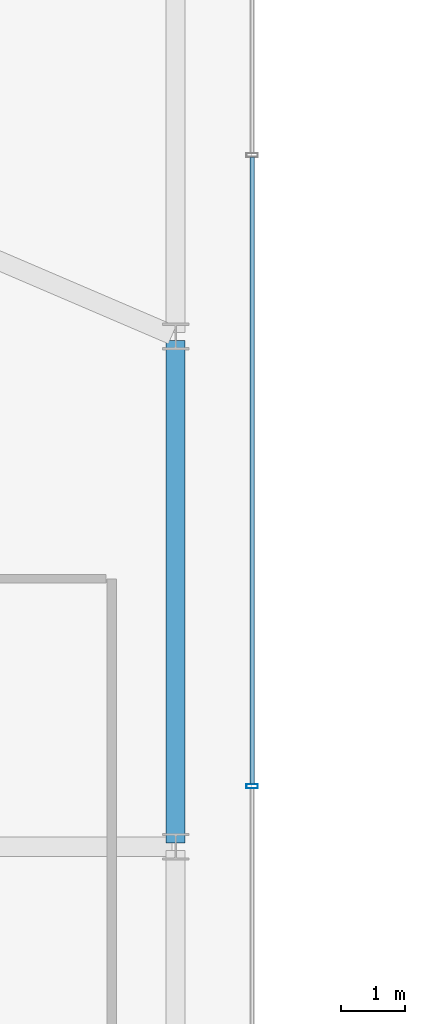
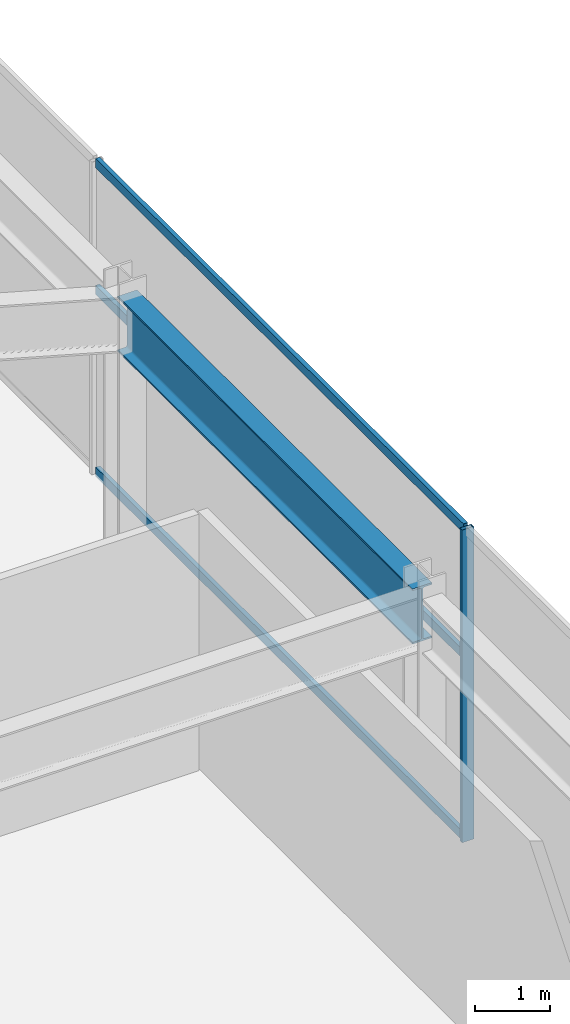
# One storey, part 28 of 52: 4 members, 1 beam, 1 element without a shape of its own.
"""IFC4 building model written with IfcOpenShell, lengths in metres."""

from ifc_helpers import new_model, si_unit, direction, frame, origin, origin_2d, place, context, subcontext, project, spatial, hollow_rectangle, i_section, extrude, material, material_profile, profile_set, type_object, element, aggregate, save


model = new_model("IFC4")

# Units and contexts
model_context = context("Model", 3, precision=1e-05, world=origin(), true_north=direction((0.0, 1.0)))
body_context = subcontext(model_context, "Body", "Model", "MODEL_VIEW")
ifc_project = project(units=[si_unit("LENGTHUNIT", "METRE"), si_unit("AREAUNIT", "SQUARE_METRE"), si_unit("VOLUMEUNIT", "CUBIC_METRE"), si_unit("PLANEANGLEUNIT", "RADIAN"), si_unit("MASSUNIT", "GRAM", prefix="KILO")], contexts=[model_context])

# Site, building, storey
site_placement = place(None, origin())
site = spatial("IfcSite", under=ifc_project, at=site_placement, CompositionType="ELEMENT")
building_placement = place(site_placement, origin())
building = spatial("IfcBuilding", under=site, at=building_placement, Name="Saevonmaru Cultural Tower", CompositionType="ELEMENT")
storey_placement = place(building_placement, frame((0.0, 0.0, 16.800048828125)))
storey = spatial("IfcBuildingStorey", under=building, at=storey_placement, Name="L03", CompositionType="ELEMENT", Elevation=16.800048828125)

# Beam
ifc_material_1 = material(Name="Steel SM420", Category="steel")
ifc_material_profile_1 = material_profile(ifc_material_1, i_section(OverallWidth=0.300048828125, OverallDepth=0.89990234375, WebThickness=0.01611328125, FlangeThickness=0.028076171875, FilletRadius=0.028076171875, at=origin_2d()), Name="H-900x300x16x28")
ifc_profile_set_1 = profile_set([ifc_material_profile_1], Name="Steel SM420")
beam_type = type_object("IfcBeamType", Name="BM-G-H900", PredefinedType="BEAM", material=ifc_profile_set_1)
beam_placement = place(storey_placement, frame((58.800048828125, 32.06005859375, 4.64990234375), z_axis=(0.0, 1.0, 0.0), x_axis=(-1.0, 0.0, 0.0)))
element("IfcBeam", 1, at=beam_placement, inside=storey, type_object=beam_type, Name="BM-POD-PE-4-L03", PredefinedType="BEAM", context=body_context, shape_type="SweptSolid", body=[
    extrude(i_section(OverallWidth=0.300048828125, OverallDepth=0.89990234375, WebThickness=0.01611328125, FlangeThickness=0.028076171875, FilletRadius=0.028076171875, at=origin_2d()), origin(), (0.0, 0.0, 1.0), 7.8798828125),
])

# Curtain wall, members
ifc_material_2 = material(Name="Satin Bronze Anodised Aluminium", Category="aluminium")
curtain_wall_type = type_object("IfcCurtainWallType", Name="CW-POD-GLZ", PredefinedType="NOTDEFINED", material=ifc_material_2)
curtain_wall_placement = place(storey_placement, origin())
curtain_wall = element("IfcCurtainWall", 2, at=curtain_wall_placement, inside=storey, type_object=curtain_wall_type, Name="L03 Saevon Plaza Curtain Wall", PredefinedType="NOTDEFINED")
ifc_material_profile_2 = material_profile(ifc_material_2, hollow_rectangle(XDim=0.06494140625, YDim=0.179931640625, WallThickness=0.00390625, at=origin_2d()), Name="ALU-MULL-180x65x4")
ifc_profile_set_2 = profile_set([ifc_material_profile_2], Name="Satin Bronze Anodised Aluminium")
member_type_1 = type_object("IfcMemberType", Name="ML-CW-180x65", PredefinedType="MULLION", material=ifc_profile_set_2)
member_1_placement = place(storey_placement, frame((60.0, 32.947998046875, 0.0), z_axis=(0.0, 0.0, 1.0), x_axis=(0.0, 1.0, 0.0)))
member_1 = element("IfcMember", 3, at=member_1_placement, type_object=member_type_1, Name="CW-POD-E-L03 mullion 4", PredefinedType="MULLION", context=body_context, shape_type="SweptSolid", body=[
    extrude(hollow_rectangle(XDim=0.06494140625, YDim=0.179931640625, WallThickness=0.00390625, at=origin_2d()), origin(), (0.0, 0.0, 1.0), 5.099853515625),
])
ifc_material_profile_3 = material_profile(ifc_material_2, hollow_rectangle(XDim=0.06494140625, YDim=0.14990234375, WallThickness=0.00390625, at=origin_2d()), Name="ALU-TRAN-150x65x4")
ifc_profile_set_3 = profile_set([ifc_material_profile_3], Name="Satin Bronze Anodised Aluminium")
member_type_2 = type_object("IfcMemberType", Name="TR-CW-150x65", PredefinedType="USERDEFINED", material=ifc_profile_set_3)
member_2_placement = place(storey_placement, frame((60.0, 32.98046875, 0.032470703125), z_axis=(0.0, 1.0, 0.0), x_axis=(-1.0, 0.0, 0.0)))
member_2 = element("IfcMember", 4, at=member_2_placement, type_object=member_type_2, Name="CW-POD-E-L03 transom 4.1", ObjectType="TRANSOM", PredefinedType="USERDEFINED", context=body_context, shape_type="SweptSolid", body=[
    extrude(hollow_rectangle(XDim=0.06494140625, YDim=0.14990234375, WallThickness=0.00390625, at=origin_2d()), origin(), (0.0, 0.0, 1.0), 9.8310546875),
])
member_3_placement = place(storey_placement, frame((60.0, 32.98046875, 3.0), z_axis=(0.0, 1.0, 0.0), x_axis=(-1.0, 0.0, 0.0)))
member_3 = element("IfcMember", 5, at=member_3_placement, type_object=member_type_2, Name="CW-POD-E-L03 transom 4.2", ObjectType="TRANSOM", PredefinedType="USERDEFINED", context=body_context, shape_type="SweptSolid", body=[
    extrude(hollow_rectangle(XDim=0.06494140625, YDim=0.14990234375, WallThickness=0.00390625, at=origin_2d()), origin(), (0.0, 0.0, 1.0), 9.8310546875),
])
member_4_placement = place(storey_placement, frame((60.0, 32.98046875, 5.0673828125), z_axis=(0.0, 1.0, 0.0), x_axis=(-1.0, 0.0, 0.0)))
member_4 = element("IfcMember", 6, at=member_4_placement, type_object=member_type_2, Name="CW-POD-E-L03 transom 4.3", ObjectType="TRANSOM", PredefinedType="USERDEFINED", context=body_context, shape_type="SweptSolid", body=[
    extrude(hollow_rectangle(XDim=0.06494140625, YDim=0.14990234375, WallThickness=0.00390625, at=origin_2d()), origin(), (0.0, 0.0, 1.0), 9.8310546875),
])
aggregate(curtain_wall, [member_1, member_2, member_3, member_4])

save(model, "model.ifc")
